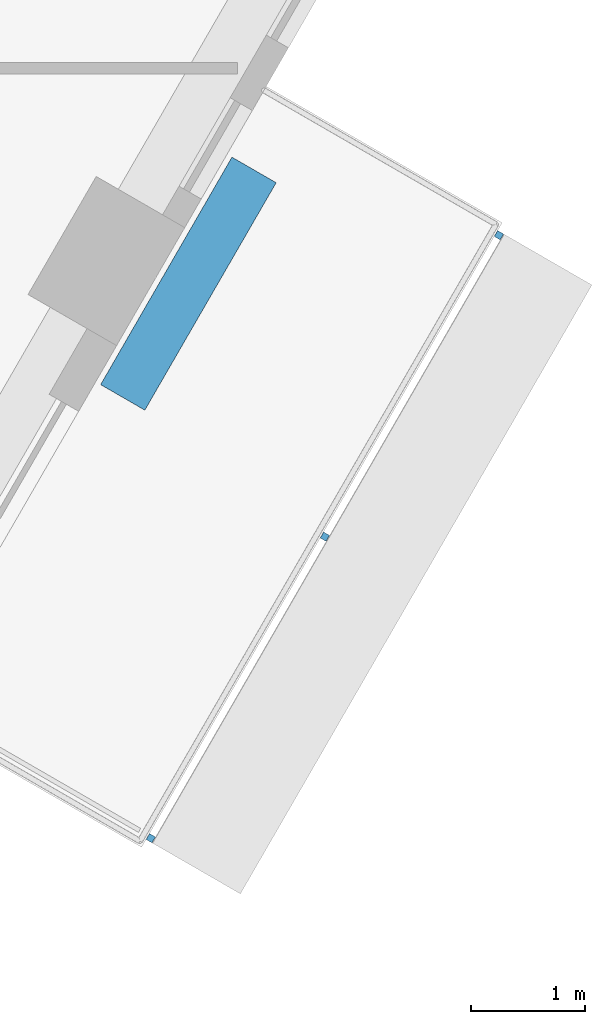
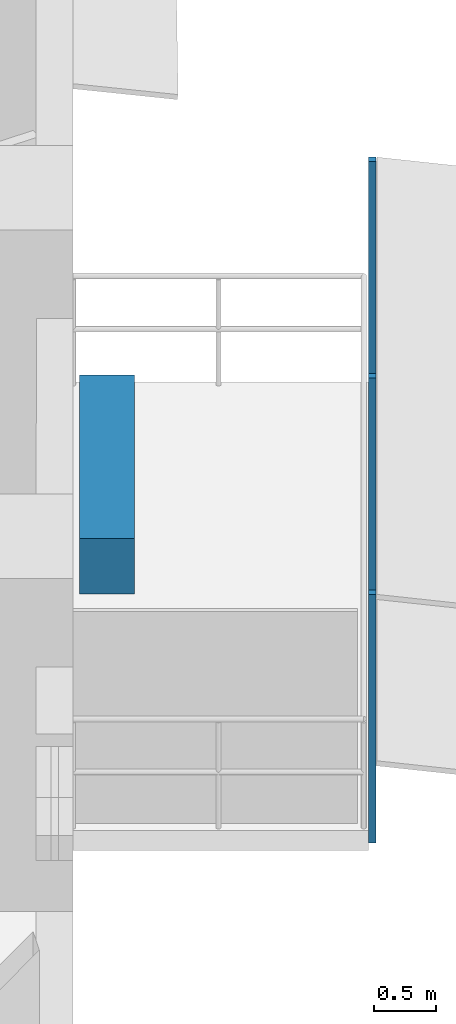
# One storey, part 12 of 16: 4 discrete accessories.
"""IFC4 building model written with IfcOpenShell, lengths in metres."""

from ifc_helpers import new_model, si_unit, direction, frame, origin, origin_2d, place, context, subcontext, project, spatial, rectangle, extrude, material, type_object, element, save


model = new_model("IFC4")

# Units and contexts
model_context = context("Model", 3, precision=1e-05, world=origin(), true_north=direction((0.0, 1.0)))
body_context = subcontext(model_context, "Body", "Model", "MODEL_VIEW")
ifc_project = project(units=[si_unit("LENGTHUNIT", "METRE"), si_unit("AREAUNIT", "SQUARE_METRE"), si_unit("VOLUMEUNIT", "CUBIC_METRE"), si_unit("PLANEANGLEUNIT", "RADIAN"), si_unit("MASSUNIT", "GRAM", prefix="KILO")], contexts=[model_context])

# Site, building, storey
site_placement = place(None, origin())
site = spatial("IfcSite", under=ifc_project, at=site_placement, CompositionType="ELEMENT")
building_placement = place(site_placement, origin())
building = spatial("IfcBuilding", under=site, at=building_placement, Name="Nakaniwa Court", CompositionType="ELEMENT")
storey_placement = place(building_placement, frame((0.0, 0.0, 199.800048828125)))
storey = spatial("IfcBuildingStorey", under=building, at=storey_placement, Name="L52", CompositionType="ELEMENT", Elevation=199.800048828125)

# Discrete accessories
ifc_material_1 = material(Name="Black powder-coated steel bracket S275", Category="steel")
discrete_accessory_type_1 = type_object("IfcDiscreteAccessoryType", Name="Black metal louvre bracket", PredefinedType="BRACKET", material=ifc_material_1)
for number, where, z_axis, x_axis, name in (
    (1, (99.5302734375, 63.66748046875, -0.22998046875), (0.0, 0.0, 1.0), (0.500016626402, 0.866015804314, 0.0), "L52 louvre bracket 02 1"),
    (2, (101.063232421875, 66.322509765625, -0.22998046875), (0.0, 0.0, 1.0), (0.500016626402, 0.866015804314, 0.0), "L52 louvre bracket 02 2"),
    (3, (102.59619140625, 68.977783203125, -0.22998046875), (0.0, 0.0, 1.0), (0.500016626402, 0.866015804314, 0.0), "L52 louvre bracket 02 3"),
):
    element("IfcDiscreteAccessory", number, at=place(storey_placement, frame(where, z_axis=z_axis, x_axis=x_axis)), inside=storey, type_object=discrete_accessory_type_1, Name=name, PredefinedType="BRACKET", context=body_context, shape_type="SweptSolid", body=[
        extrude(rectangle(XDim=0.06005859375, YDim=0.06005859375, at=origin_2d()), origin(), (0.0, 0.0, 1.0), 2.46337890625),
    ])
ifc_material_2 = material(Name="Precast concrete C40/50 planter with planted soil", Category="concrete")
discrete_accessory_type_2 = type_object("IfcDiscreteAccessoryType", Name="Planter box charcoal concrete", PredefinedType="USERDEFINED", material=ifc_material_2)
discrete_accessory_placement = place(storey_placement, frame((99.861572265625, 68.551025390625, -0.05029296875), z_axis=(0.0, 0.0, 1.0), x_axis=(0.500016626402, 0.866015804314, 0.0)))
element("IfcDiscreteAccessory", 4, at=discrete_accessory_placement, inside=storey, type_object=discrete_accessory_type_2, Name="L52 balcony PLANTER 02", ObjectType="PLANTER", PredefinedType="USERDEFINED", context=body_context, shape_type="SweptSolid", body=[
    extrude(rectangle(XDim=2.3134765625, YDim=0.449951171875, at=origin_2d()), origin(), (0.0, 0.0, 1.0), 0.550048828125),
])

save(model, "model.ifc")
